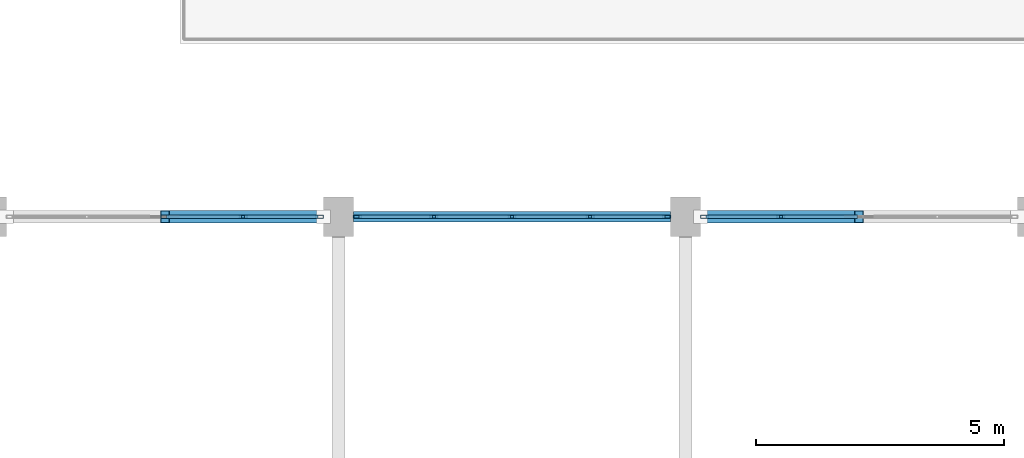
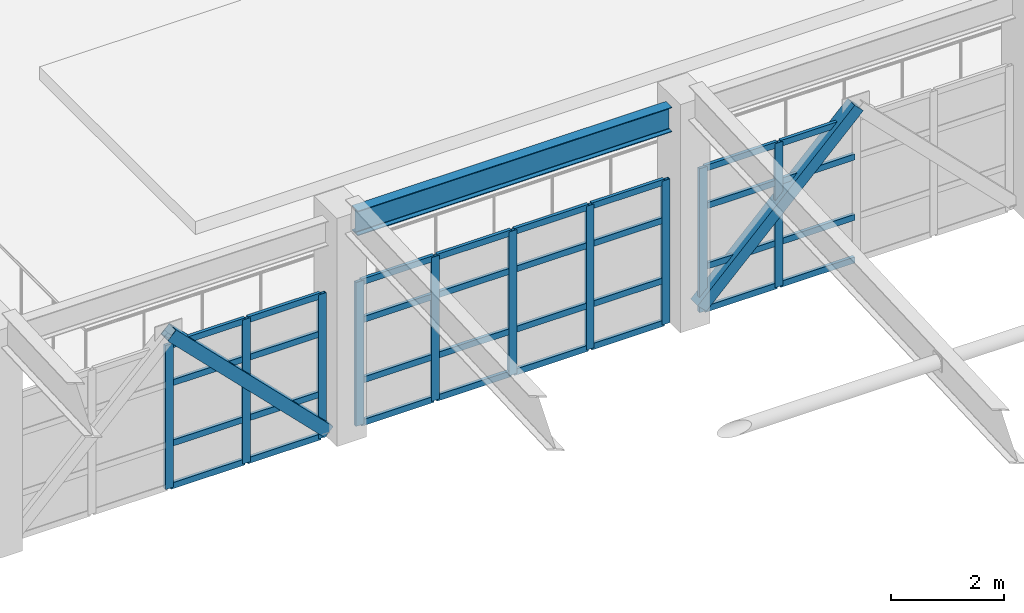
# One storey, part 13 of 150: 44 members, 1 beam, 3 elements without a shape of their own.
"""IFC4 building model written with IfcOpenShell, lengths in metres."""

from ifc_helpers import new_model, si_unit, direction, frame, origin, origin_2d, place, context, subcontext, project, spatial, hollow_rectangle, i_section, extrude, material, material_profile, profile_set, type_object, element, aggregate, save


model = new_model("IFC4")

# Units and contexts
model_context = context("Model", 3, precision=1e-05, world=origin(), true_north=direction((0.0, 1.0)))
body_context = subcontext(model_context, "Body", "Model", "MODEL_VIEW")
ifc_project = project(units=[si_unit("LENGTHUNIT", "METRE"), si_unit("AREAUNIT", "SQUARE_METRE"), si_unit("VOLUMEUNIT", "CUBIC_METRE"), si_unit("PLANEANGLEUNIT", "RADIAN"), si_unit("MASSUNIT", "GRAM", prefix="KILO")], contexts=[model_context])

# Site, building, storey
site_placement = place(None, origin())
site = spatial("IfcSite", under=ifc_project, at=site_placement, CompositionType="ELEMENT")
building_placement = place(site_placement, origin())
building = spatial("IfcBuilding", under=site, at=building_placement, Name="Kestramere Prow Commons", CompositionType="ELEMENT")
storey_placement = place(building_placement, frame((0.0, 0.0, 4.5)))
storey = spatial("IfcBuildingStorey", under=building, at=storey_placement, Name="L01", CompositionType="ELEMENT", Elevation=4.5)

# Beam
ifc_material_1 = material(Name="Steel S355JR", Category="steel")
ifc_material_profile_1 = material_profile(ifc_material_1, i_section(OverallWidth=0.209228515625, OverallDepth=0.533203125, WebThickness=0.010009765625, FlangeThickness=0.015625, FilletRadius=0.0126953125, at=origin_2d()), Name="UB 533x210x92")
ifc_profile_set_1 = profile_set([ifc_material_profile_1], Name="Steel S355JR")
beam_type = type_object("IfcBeamType", Name="BM-HL-GAL UB 533x210x92 (EX)", PredefinedType="BEAM", material=ifc_profile_set_1)
beam_placement = place(storey_placement, frame((23.5, 43.5, 4.418701171875), z_axis=(1.0, 0.0, 0.0), x_axis=(0.0, 1.0, 0.0)))
element("IfcBeam", 1, at=beam_placement, inside=storey, type_object=beam_type, Name="Hall Roof Eave Tie Girder 4N", PredefinedType="BEAM", context=body_context, shape_type="SweptSolid", body=[
    extrude(i_section(OverallWidth=0.209228515625, OverallDepth=0.533203125, WebThickness=0.010009765625, FlangeThickness=0.015625, FilletRadius=0.0126953125, at=origin_2d()), origin(), (0.0, 0.0, 1.0), 6.39990234375),
])

# Members
ifc_material_profile_2 = material_profile(ifc_material_1, hollow_rectangle(XDim=0.25, YDim=0.25, WallThickness=0.012451171875, at=origin_2d()), Name="SHS 250x250x12.5")
ifc_profile_set_2 = profile_set([ifc_material_profile_2], Name="Steel S355JR")
member_type_1 = type_object("IfcMemberType", Name="BRHL-01 SHS 250x250x12.5", PredefinedType="BRACE", material=ifc_profile_set_2)
for number, where, z_axis, x_axis, name in (
    (2, (22.89990234375, 43.5, 0.14990234375), (-0.707079807306, 0.0, 0.707133754038), (0.0, -1.0, 0.0), "Community Hall Flank Diagonal Brace L01-3R"),
    (3, (30.5, 43.5, 0.14990234375), (0.707079807306, 0.0, 0.707133754038), (0.0, 1.0, 0.0), "Community Hall Flank Diagonal Brace L01-5L"),
):
    element("IfcMember", number, at=place(storey_placement, frame(where, z_axis=z_axis, x_axis=x_axis)), inside=storey, type_object=member_type_1, Name=name, PredefinedType="BRACE", context=body_context, shape_type="SweptSolid", body=[
        extrude(hollow_rectangle(XDim=0.25, YDim=0.25, WallThickness=0.012451171875, at=origin_2d()), origin(), (0.0, 0.0, 1.0), 4.525634765625),
    ])

# Curtain wall, members
ifc_material_2 = material(Name="Anodised Aluminium and Low-E Glass", Category="aluminium")
curtain_wall_type = type_object("IfcCurtainWallType", Name="CW-12 Glazed Curtain Wall 6300x3100", PredefinedType="USERDEFINED", material=ifc_material_2)
curtain_wall_1_placement = place(storey_placement, origin())
curtain_wall_1 = element("IfcCurtainWall", 4, at=curtain_wall_1_placement, inside=storey, type_object=curtain_wall_type, Name="Hall North Clerestory Curtain Wall L01-3", ObjectType="GLAZED CURTAIN WALL", PredefinedType="USERDEFINED")
ifc_material_3 = material(Name="Anodised Aluminium 6063-T6", Category="aluminium")
ifc_material_profile_3 = material_profile(ifc_material_3, hollow_rectangle(XDim=0.06494140625, YDim=0.159912109375, WallThickness=0.00390625, at=origin_2d()), Name="ALU-MUL 65x160")
ifc_profile_set_3 = profile_set([ifc_material_profile_3], Name="Anodised Aluminium 6063-T6")
member_type_2 = type_object("IfcMemberType", Name="CW-MUL-65x160", PredefinedType="MULLION", material=ifc_profile_set_3)
member_1_placement = place(storey_placement, frame((19.699951171875, 43.5, 0.0), z_axis=(0.0, 0.0, 1.0), x_axis=(0.0, 1.0, 0.0)))
member_1 = element("IfcMember", 5, at=member_1_placement, type_object=member_type_2, Name="CW-12 mullion 3", PredefinedType="MULLION", context=body_context, shape_type="SweptSolid", body=[
    extrude(hollow_rectangle(XDim=0.06494140625, YDim=0.159912109375, WallThickness=0.00390625, at=origin_2d()), origin(), (0.0, 0.0, 1.0), 3.10009765625),
])
member_2_placement = place(storey_placement, frame((21.27490234375, 43.5, 0.0), z_axis=(0.0, 0.0, 1.0), x_axis=(0.0, 1.0, 0.0)))
member_2 = element("IfcMember", 6, at=member_2_placement, type_object=member_type_2, Name="CW-12 mullion 4", PredefinedType="MULLION", context=body_context, shape_type="SweptSolid", body=[
    extrude(hollow_rectangle(XDim=0.06494140625, YDim=0.159912109375, WallThickness=0.00390625, at=origin_2d()), origin(), (0.0, 0.0, 1.0), 3.10009765625),
])
member_3_placement = place(storey_placement, frame((22.8173828125, 43.5, 0.0), z_axis=(0.0, 0.0, 1.0), x_axis=(0.0, 1.0, 0.0)))
member_3 = element("IfcMember", 7, at=member_3_placement, type_object=member_type_2, Name="CW-12 mullion 5", PredefinedType="MULLION", context=body_context, shape_type="SweptSolid", body=[
    extrude(hollow_rectangle(XDim=0.06494140625, YDim=0.159912109375, WallThickness=0.00390625, at=origin_2d()), origin(), (0.0, 0.0, 1.0), 3.10009765625),
])

curtain_wall_2_placement = place(storey_placement, origin())
curtain_wall_2 = element("IfcCurtainWall", 8, at=curtain_wall_2_placement, inside=storey, type_object=curtain_wall_type, Name="Hall North Clerestory Curtain Wall L01-4", ObjectType="GLAZED CURTAIN WALL", PredefinedType="USERDEFINED")
member_4_placement = place(storey_placement, frame((23.58251953125, 43.5, 0.0), z_axis=(0.0, 0.0, 1.0), x_axis=(0.0, 1.0, 0.0)))
member_4 = element("IfcMember", 9, at=member_4_placement, type_object=member_type_2, Name="CW-12 mullion 1", PredefinedType="MULLION", context=body_context, shape_type="SweptSolid", body=[
    extrude(hollow_rectangle(XDim=0.06494140625, YDim=0.159912109375, WallThickness=0.00390625, at=origin_2d()), origin(), (0.0, 0.0, 1.0), 3.10009765625),
])
member_5_placement = place(storey_placement, frame((25.125, 43.5, 0.0), z_axis=(0.0, 0.0, 1.0), x_axis=(0.0, 1.0, 0.0)))
member_5 = element("IfcMember", 10, at=member_5_placement, type_object=member_type_2, Name="CW-12 mullion 2", PredefinedType="MULLION", context=body_context, shape_type="SweptSolid", body=[
    extrude(hollow_rectangle(XDim=0.06494140625, YDim=0.159912109375, WallThickness=0.00390625, at=origin_2d()), origin(), (0.0, 0.0, 1.0), 3.10009765625),
])
member_6_placement = place(storey_placement, frame((26.699951171875, 43.5, 0.0), z_axis=(0.0, 0.0, 1.0), x_axis=(0.0, 1.0, 0.0)))
member_6 = element("IfcMember", 11, at=member_6_placement, type_object=member_type_2, Name="CW-12 mullion 3", PredefinedType="MULLION", context=body_context, shape_type="SweptSolid", body=[
    extrude(hollow_rectangle(XDim=0.06494140625, YDim=0.159912109375, WallThickness=0.00390625, at=origin_2d()), origin(), (0.0, 0.0, 1.0), 3.10009765625),
])
member_7_placement = place(storey_placement, frame((28.27490234375, 43.5, 0.0), z_axis=(0.0, 0.0, 1.0), x_axis=(0.0, 1.0, 0.0)))
member_7 = element("IfcMember", 12, at=member_7_placement, type_object=member_type_2, Name="CW-12 mullion 4", PredefinedType="MULLION", context=body_context, shape_type="SweptSolid", body=[
    extrude(hollow_rectangle(XDim=0.06494140625, YDim=0.159912109375, WallThickness=0.00390625, at=origin_2d()), origin(), (0.0, 0.0, 1.0), 3.10009765625),
])
member_8_placement = place(storey_placement, frame((29.8173828125, 43.5, 0.0), z_axis=(0.0, 0.0, 1.0), x_axis=(0.0, 1.0, 0.0)))
member_8 = element("IfcMember", 13, at=member_8_placement, type_object=member_type_2, Name="CW-12 mullion 5", PredefinedType="MULLION", context=body_context, shape_type="SweptSolid", body=[
    extrude(hollow_rectangle(XDim=0.06494140625, YDim=0.159912109375, WallThickness=0.00390625, at=origin_2d()), origin(), (0.0, 0.0, 1.0), 3.10009765625),
])

curtain_wall_3_placement = place(storey_placement, origin())
curtain_wall_3 = element("IfcCurtainWall", 14, at=curtain_wall_3_placement, inside=storey, type_object=curtain_wall_type, Name="Hall North Clerestory Curtain Wall L01-5", ObjectType="GLAZED CURTAIN WALL", PredefinedType="USERDEFINED")
member_9_placement = place(storey_placement, frame((30.58251953125, 43.5, 0.0), z_axis=(0.0, 0.0, 1.0), x_axis=(0.0, 1.0, 0.0)))
member_9 = element("IfcMember", 15, at=member_9_placement, type_object=member_type_2, Name="CW-12 mullion 1", PredefinedType="MULLION", context=body_context, shape_type="SweptSolid", body=[
    extrude(hollow_rectangle(XDim=0.06494140625, YDim=0.159912109375, WallThickness=0.00390625, at=origin_2d()), origin(), (0.0, 0.0, 1.0), 3.10009765625),
])
member_10_placement = place(storey_placement, frame((32.125, 43.5, 0.0), z_axis=(0.0, 0.0, 1.0), x_axis=(0.0, 1.0, 0.0)))
member_10 = element("IfcMember", 16, at=member_10_placement, type_object=member_type_2, Name="CW-12 mullion 2", PredefinedType="MULLION", context=body_context, shape_type="SweptSolid", body=[
    extrude(hollow_rectangle(XDim=0.06494140625, YDim=0.159912109375, WallThickness=0.00390625, at=origin_2d()), origin(), (0.0, 0.0, 1.0), 3.10009765625),
])

# Member
ifc_material_profile_4 = material_profile(ifc_material_3, hollow_rectangle(XDim=0.06494140625, YDim=0.1298828125, WallThickness=0.00390625, at=origin_2d()), Name="ALU-TRN 65x130")
ifc_profile_set_4 = profile_set([ifc_material_profile_4], Name="Anodised Aluminium 6063-T6")
member_type_3 = type_object("IfcMemberType", Name="CW-TRN-65x130", PredefinedType="USERDEFINED", material=ifc_profile_set_4)
member_11_placement = place(storey_placement, frame((19.732421875, 43.5, 0.032470703125), z_axis=(1.0, 0.0, 0.0), x_axis=(0.0, 1.0, 0.0)))
member_11 = element("IfcMember", 17, at=member_11_placement, type_object=member_type_3, Name="CW-12 transom 3.1", ObjectType="TRANSOM", PredefinedType="USERDEFINED", context=body_context, shape_type="SweptSolid", body=[
    extrude(hollow_rectangle(XDim=0.06494140625, YDim=0.1298828125, WallThickness=0.00390625, at=origin_2d()), origin(), (0.0, 0.0, 1.0), 1.510009765625),
])

member_12_placement = place(storey_placement, frame((19.732421875, 43.5, 0.949951171875), z_axis=(1.0, 0.0, 0.0), x_axis=(0.0, 1.0, 0.0)))
member_12 = element("IfcMember", 18, at=member_12_placement, type_object=member_type_3, Name="CW-12 transom 3.2", ObjectType="TRANSOM", PredefinedType="USERDEFINED", context=body_context, shape_type="SweptSolid", body=[
    extrude(hollow_rectangle(XDim=0.06494140625, YDim=0.1298828125, WallThickness=0.00390625, at=origin_2d()), origin(), (0.0, 0.0, 1.0), 1.510009765625),
])

member_13_placement = place(storey_placement, frame((19.732421875, 43.5, 2.25), z_axis=(1.0, 0.0, 0.0), x_axis=(0.0, 1.0, 0.0)))
member_13 = element("IfcMember", 19, at=member_13_placement, type_object=member_type_3, Name="CW-12 transom 3.3", ObjectType="TRANSOM", PredefinedType="USERDEFINED", context=body_context, shape_type="SweptSolid", body=[
    extrude(hollow_rectangle(XDim=0.06494140625, YDim=0.1298828125, WallThickness=0.00390625, at=origin_2d()), origin(), (0.0, 0.0, 1.0), 1.510009765625),
])

member_14_placement = place(storey_placement, frame((19.732421875, 43.5, 3.0673828125), z_axis=(1.0, 0.0, 0.0), x_axis=(0.0, 1.0, 0.0)))
member_14 = element("IfcMember", 20, at=member_14_placement, type_object=member_type_3, Name="CW-12 transom 3.4", ObjectType="TRANSOM", PredefinedType="USERDEFINED", context=body_context, shape_type="SweptSolid", body=[
    extrude(hollow_rectangle(XDim=0.06494140625, YDim=0.1298828125, WallThickness=0.00390625, at=origin_2d()), origin(), (0.0, 0.0, 1.0), 1.510009765625),
])

member_15_placement = place(storey_placement, frame((21.3076171875, 43.5, 0.032470703125), z_axis=(1.0, 0.0, 0.0), x_axis=(0.0, 1.0, 0.0)))
member_15 = element("IfcMember", 21, at=member_15_placement, type_object=member_type_3, Name="CW-12 transom 4.1", ObjectType="TRANSOM", PredefinedType="USERDEFINED", context=body_context, shape_type="SweptSolid", body=[
    extrude(hollow_rectangle(XDim=0.06494140625, YDim=0.1298828125, WallThickness=0.00390625, at=origin_2d()), origin(), (0.0, 0.0, 1.0), 1.477294921875),
])

member_16_placement = place(storey_placement, frame((21.3076171875, 43.5, 0.949951171875), z_axis=(1.0, 0.0, 0.0), x_axis=(0.0, 1.0, 0.0)))
member_16 = element("IfcMember", 22, at=member_16_placement, type_object=member_type_3, Name="CW-12 transom 4.2", ObjectType="TRANSOM", PredefinedType="USERDEFINED", context=body_context, shape_type="SweptSolid", body=[
    extrude(hollow_rectangle(XDim=0.06494140625, YDim=0.1298828125, WallThickness=0.00390625, at=origin_2d()), origin(), (0.0, 0.0, 1.0), 1.477294921875),
])

member_17_placement = place(storey_placement, frame((21.3076171875, 43.5, 2.25), z_axis=(1.0, 0.0, 0.0), x_axis=(0.0, 1.0, 0.0)))
member_17 = element("IfcMember", 23, at=member_17_placement, type_object=member_type_3, Name="CW-12 transom 4.3", ObjectType="TRANSOM", PredefinedType="USERDEFINED", context=body_context, shape_type="SweptSolid", body=[
    extrude(hollow_rectangle(XDim=0.06494140625, YDim=0.1298828125, WallThickness=0.00390625, at=origin_2d()), origin(), (0.0, 0.0, 1.0), 1.477294921875),
])

member_18_placement = place(storey_placement, frame((21.3076171875, 43.5, 3.0673828125), z_axis=(1.0, 0.0, 0.0), x_axis=(0.0, 1.0, 0.0)))
member_18 = element("IfcMember", 24, at=member_18_placement, type_object=member_type_3, Name="CW-12 transom 4.4", ObjectType="TRANSOM", PredefinedType="USERDEFINED", context=body_context, shape_type="SweptSolid", body=[
    extrude(hollow_rectangle(XDim=0.06494140625, YDim=0.1298828125, WallThickness=0.00390625, at=origin_2d()), origin(), (0.0, 0.0, 1.0), 1.477294921875),
])

aggregate(curtain_wall_1, [member_1, member_2, member_3, member_11, member_12, member_13, member_14, member_15, member_16, member_17, member_18])

member_19_placement = place(storey_placement, frame((23.614990234375, 43.5, 0.032470703125), z_axis=(1.0, 0.0, 0.0), x_axis=(0.0, 1.0, 0.0)))
member_19 = element("IfcMember", 25, at=member_19_placement, type_object=member_type_3, Name="CW-12 transom 1.1", ObjectType="TRANSOM", PredefinedType="USERDEFINED", context=body_context, shape_type="SweptSolid", body=[
    extrude(hollow_rectangle(XDim=0.06494140625, YDim=0.1298828125, WallThickness=0.00390625, at=origin_2d()), origin(), (0.0, 0.0, 1.0), 1.4775390625),
])

member_20_placement = place(storey_placement, frame((23.614990234375, 43.5, 0.949951171875), z_axis=(1.0, 0.0, 0.0), x_axis=(0.0, 1.0, 0.0)))
member_20 = element("IfcMember", 26, at=member_20_placement, type_object=member_type_3, Name="CW-12 transom 1.2", ObjectType="TRANSOM", PredefinedType="USERDEFINED", context=body_context, shape_type="SweptSolid", body=[
    extrude(hollow_rectangle(XDim=0.06494140625, YDim=0.1298828125, WallThickness=0.00390625, at=origin_2d()), origin(), (0.0, 0.0, 1.0), 1.4775390625),
])

member_21_placement = place(storey_placement, frame((23.614990234375, 43.5, 2.25), z_axis=(1.0, 0.0, 0.0), x_axis=(0.0, 1.0, 0.0)))
member_21 = element("IfcMember", 27, at=member_21_placement, type_object=member_type_3, Name="CW-12 transom 1.3", ObjectType="TRANSOM", PredefinedType="USERDEFINED", context=body_context, shape_type="SweptSolid", body=[
    extrude(hollow_rectangle(XDim=0.06494140625, YDim=0.1298828125, WallThickness=0.00390625, at=origin_2d()), origin(), (0.0, 0.0, 1.0), 1.4775390625),
])

member_22_placement = place(storey_placement, frame((23.614990234375, 43.5, 3.0673828125), z_axis=(1.0, 0.0, 0.0), x_axis=(0.0, 1.0, 0.0)))
member_22 = element("IfcMember", 28, at=member_22_placement, type_object=member_type_3, Name="CW-12 transom 1.4", ObjectType="TRANSOM", PredefinedType="USERDEFINED", context=body_context, shape_type="SweptSolid", body=[
    extrude(hollow_rectangle(XDim=0.06494140625, YDim=0.1298828125, WallThickness=0.00390625, at=origin_2d()), origin(), (0.0, 0.0, 1.0), 1.4775390625),
])

member_23_placement = place(storey_placement, frame((25.157470703125, 43.5, 0.032470703125), z_axis=(1.0, 0.0, 0.0), x_axis=(0.0, 1.0, 0.0)))
member_23 = element("IfcMember", 29, at=member_23_placement, type_object=member_type_3, Name="CW-12 transom 2.1", ObjectType="TRANSOM", PredefinedType="USERDEFINED", context=body_context, shape_type="SweptSolid", body=[
    extrude(hollow_rectangle(XDim=0.06494140625, YDim=0.1298828125, WallThickness=0.00390625, at=origin_2d()), origin(), (0.0, 0.0, 1.0), 1.510009765625),
])

member_24_placement = place(storey_placement, frame((25.157470703125, 43.5, 0.949951171875), z_axis=(1.0, 0.0, 0.0), x_axis=(0.0, 1.0, 0.0)))
member_24 = element("IfcMember", 30, at=member_24_placement, type_object=member_type_3, Name="CW-12 transom 2.2", ObjectType="TRANSOM", PredefinedType="USERDEFINED", context=body_context, shape_type="SweptSolid", body=[
    extrude(hollow_rectangle(XDim=0.06494140625, YDim=0.1298828125, WallThickness=0.00390625, at=origin_2d()), origin(), (0.0, 0.0, 1.0), 1.510009765625),
])

member_25_placement = place(storey_placement, frame((25.157470703125, 43.5, 2.25), z_axis=(1.0, 0.0, 0.0), x_axis=(0.0, 1.0, 0.0)))
member_25 = element("IfcMember", 31, at=member_25_placement, type_object=member_type_3, Name="CW-12 transom 2.3", ObjectType="TRANSOM", PredefinedType="USERDEFINED", context=body_context, shape_type="SweptSolid", body=[
    extrude(hollow_rectangle(XDim=0.06494140625, YDim=0.1298828125, WallThickness=0.00390625, at=origin_2d()), origin(), (0.0, 0.0, 1.0), 1.510009765625),
])

member_26_placement = place(storey_placement, frame((25.157470703125, 43.5, 3.0673828125), z_axis=(1.0, 0.0, 0.0), x_axis=(0.0, 1.0, 0.0)))
member_26 = element("IfcMember", 32, at=member_26_placement, type_object=member_type_3, Name="CW-12 transom 2.4", ObjectType="TRANSOM", PredefinedType="USERDEFINED", context=body_context, shape_type="SweptSolid", body=[
    extrude(hollow_rectangle(XDim=0.06494140625, YDim=0.1298828125, WallThickness=0.00390625, at=origin_2d()), origin(), (0.0, 0.0, 1.0), 1.510009765625),
])

member_27_placement = place(storey_placement, frame((26.732421875, 43.5, 0.032470703125), z_axis=(1.0, 0.0, 0.0), x_axis=(0.0, 1.0, 0.0)))
member_27 = element("IfcMember", 33, at=member_27_placement, type_object=member_type_3, Name="CW-12 transom 3.1", ObjectType="TRANSOM", PredefinedType="USERDEFINED", context=body_context, shape_type="SweptSolid", body=[
    extrude(hollow_rectangle(XDim=0.06494140625, YDim=0.1298828125, WallThickness=0.00390625, at=origin_2d()), origin(), (0.0, 0.0, 1.0), 1.510009765625),
])

member_28_placement = place(storey_placement, frame((26.732421875, 43.5, 0.949951171875), z_axis=(1.0, 0.0, 0.0), x_axis=(0.0, 1.0, 0.0)))
member_28 = element("IfcMember", 34, at=member_28_placement, type_object=member_type_3, Name="CW-12 transom 3.2", ObjectType="TRANSOM", PredefinedType="USERDEFINED", context=body_context, shape_type="SweptSolid", body=[
    extrude(hollow_rectangle(XDim=0.06494140625, YDim=0.1298828125, WallThickness=0.00390625, at=origin_2d()), origin(), (0.0, 0.0, 1.0), 1.510009765625),
])

member_29_placement = place(storey_placement, frame((26.732421875, 43.5, 2.25), z_axis=(1.0, 0.0, 0.0), x_axis=(0.0, 1.0, 0.0)))
member_29 = element("IfcMember", 35, at=member_29_placement, type_object=member_type_3, Name="CW-12 transom 3.3", ObjectType="TRANSOM", PredefinedType="USERDEFINED", context=body_context, shape_type="SweptSolid", body=[
    extrude(hollow_rectangle(XDim=0.06494140625, YDim=0.1298828125, WallThickness=0.00390625, at=origin_2d()), origin(), (0.0, 0.0, 1.0), 1.510009765625),
])

member_30_placement = place(storey_placement, frame((26.732421875, 43.5, 3.0673828125), z_axis=(1.0, 0.0, 0.0), x_axis=(0.0, 1.0, 0.0)))
member_30 = element("IfcMember", 36, at=member_30_placement, type_object=member_type_3, Name="CW-12 transom 3.4", ObjectType="TRANSOM", PredefinedType="USERDEFINED", context=body_context, shape_type="SweptSolid", body=[
    extrude(hollow_rectangle(XDim=0.06494140625, YDim=0.1298828125, WallThickness=0.00390625, at=origin_2d()), origin(), (0.0, 0.0, 1.0), 1.510009765625),
])

member_31_placement = place(storey_placement, frame((28.3076171875, 43.5, 0.032470703125), z_axis=(1.0, 0.0, 0.0), x_axis=(0.0, 1.0, 0.0)))
member_31 = element("IfcMember", 37, at=member_31_placement, type_object=member_type_3, Name="CW-12 transom 4.1", ObjectType="TRANSOM", PredefinedType="USERDEFINED", context=body_context, shape_type="SweptSolid", body=[
    extrude(hollow_rectangle(XDim=0.06494140625, YDim=0.1298828125, WallThickness=0.00390625, at=origin_2d()), origin(), (0.0, 0.0, 1.0), 1.477294921875),
])

member_32_placement = place(storey_placement, frame((28.3076171875, 43.5, 0.949951171875), z_axis=(1.0, 0.0, 0.0), x_axis=(0.0, 1.0, 0.0)))
member_32 = element("IfcMember", 38, at=member_32_placement, type_object=member_type_3, Name="CW-12 transom 4.2", ObjectType="TRANSOM", PredefinedType="USERDEFINED", context=body_context, shape_type="SweptSolid", body=[
    extrude(hollow_rectangle(XDim=0.06494140625, YDim=0.1298828125, WallThickness=0.00390625, at=origin_2d()), origin(), (0.0, 0.0, 1.0), 1.477294921875),
])

member_33_placement = place(storey_placement, frame((28.3076171875, 43.5, 2.25), z_axis=(1.0, 0.0, 0.0), x_axis=(0.0, 1.0, 0.0)))
member_33 = element("IfcMember", 39, at=member_33_placement, type_object=member_type_3, Name="CW-12 transom 4.3", ObjectType="TRANSOM", PredefinedType="USERDEFINED", context=body_context, shape_type="SweptSolid", body=[
    extrude(hollow_rectangle(XDim=0.06494140625, YDim=0.1298828125, WallThickness=0.00390625, at=origin_2d()), origin(), (0.0, 0.0, 1.0), 1.477294921875),
])

member_34_placement = place(storey_placement, frame((28.3076171875, 43.5, 3.0673828125), z_axis=(1.0, 0.0, 0.0), x_axis=(0.0, 1.0, 0.0)))
member_34 = element("IfcMember", 40, at=member_34_placement, type_object=member_type_3, Name="CW-12 transom 4.4", ObjectType="TRANSOM", PredefinedType="USERDEFINED", context=body_context, shape_type="SweptSolid", body=[
    extrude(hollow_rectangle(XDim=0.06494140625, YDim=0.1298828125, WallThickness=0.00390625, at=origin_2d()), origin(), (0.0, 0.0, 1.0), 1.477294921875),
])

aggregate(curtain_wall_2, [member_4, member_5, member_6, member_7, member_8, member_19, member_20, member_21, member_22, member_23, member_24, member_25, member_26, member_27, member_28, member_29, member_30, member_31, member_32, member_33, member_34])

member_35_placement = place(storey_placement, frame((30.614990234375, 43.5, 0.032470703125), z_axis=(1.0, 0.0, 0.0), x_axis=(0.0, 1.0, 0.0)))
member_35 = element("IfcMember", 41, at=member_35_placement, type_object=member_type_3, Name="CW-12 transom 1.1", ObjectType="TRANSOM", PredefinedType="USERDEFINED", context=body_context, shape_type="SweptSolid", body=[
    extrude(hollow_rectangle(XDim=0.06494140625, YDim=0.1298828125, WallThickness=0.00390625, at=origin_2d()), origin(), (0.0, 0.0, 1.0), 1.4775390625),
])

member_36_placement = place(storey_placement, frame((30.614990234375, 43.5, 0.949951171875), z_axis=(1.0, 0.0, 0.0), x_axis=(0.0, 1.0, 0.0)))
member_36 = element("IfcMember", 42, at=member_36_placement, type_object=member_type_3, Name="CW-12 transom 1.2", ObjectType="TRANSOM", PredefinedType="USERDEFINED", context=body_context, shape_type="SweptSolid", body=[
    extrude(hollow_rectangle(XDim=0.06494140625, YDim=0.1298828125, WallThickness=0.00390625, at=origin_2d()), origin(), (0.0, 0.0, 1.0), 1.4775390625),
])

member_37_placement = place(storey_placement, frame((30.614990234375, 43.5, 2.25), z_axis=(1.0, 0.0, 0.0), x_axis=(0.0, 1.0, 0.0)))
member_37 = element("IfcMember", 43, at=member_37_placement, type_object=member_type_3, Name="CW-12 transom 1.3", ObjectType="TRANSOM", PredefinedType="USERDEFINED", context=body_context, shape_type="SweptSolid", body=[
    extrude(hollow_rectangle(XDim=0.06494140625, YDim=0.1298828125, WallThickness=0.00390625, at=origin_2d()), origin(), (0.0, 0.0, 1.0), 1.4775390625),
])

member_38_placement = place(storey_placement, frame((30.614990234375, 43.5, 3.0673828125), z_axis=(1.0, 0.0, 0.0), x_axis=(0.0, 1.0, 0.0)))
member_38 = element("IfcMember", 44, at=member_38_placement, type_object=member_type_3, Name="CW-12 transom 1.4", ObjectType="TRANSOM", PredefinedType="USERDEFINED", context=body_context, shape_type="SweptSolid", body=[
    extrude(hollow_rectangle(XDim=0.06494140625, YDim=0.1298828125, WallThickness=0.00390625, at=origin_2d()), origin(), (0.0, 0.0, 1.0), 1.4775390625),
])

member_39_placement = place(storey_placement, frame((32.157470703125, 43.5, 0.032470703125), z_axis=(1.0, 0.0, 0.0), x_axis=(0.0, 1.0, 0.0)))
member_39 = element("IfcMember", 45, at=member_39_placement, type_object=member_type_3, Name="CW-12 transom 2.1", ObjectType="TRANSOM", PredefinedType="USERDEFINED", context=body_context, shape_type="SweptSolid", body=[
    extrude(hollow_rectangle(XDim=0.06494140625, YDim=0.1298828125, WallThickness=0.00390625, at=origin_2d()), origin(), (0.0, 0.0, 1.0), 1.510009765625),
])

member_40_placement = place(storey_placement, frame((32.157470703125, 43.5, 0.949951171875), z_axis=(1.0, 0.0, 0.0), x_axis=(0.0, 1.0, 0.0)))
member_40 = element("IfcMember", 46, at=member_40_placement, type_object=member_type_3, Name="CW-12 transom 2.2", ObjectType="TRANSOM", PredefinedType="USERDEFINED", context=body_context, shape_type="SweptSolid", body=[
    extrude(hollow_rectangle(XDim=0.06494140625, YDim=0.1298828125, WallThickness=0.00390625, at=origin_2d()), origin(), (0.0, 0.0, 1.0), 1.510009765625),
])

member_41_placement = place(storey_placement, frame((32.157470703125, 43.5, 2.25), z_axis=(1.0, 0.0, 0.0), x_axis=(0.0, 1.0, 0.0)))
member_41 = element("IfcMember", 47, at=member_41_placement, type_object=member_type_3, Name="CW-12 transom 2.3", ObjectType="TRANSOM", PredefinedType="USERDEFINED", context=body_context, shape_type="SweptSolid", body=[
    extrude(hollow_rectangle(XDim=0.06494140625, YDim=0.1298828125, WallThickness=0.00390625, at=origin_2d()), origin(), (0.0, 0.0, 1.0), 1.510009765625),
])

member_42_placement = place(storey_placement, frame((32.157470703125, 43.5, 3.0673828125), z_axis=(1.0, 0.0, 0.0), x_axis=(0.0, 1.0, 0.0)))
member_42 = element("IfcMember", 48, at=member_42_placement, type_object=member_type_3, Name="CW-12 transom 2.4", ObjectType="TRANSOM", PredefinedType="USERDEFINED", context=body_context, shape_type="SweptSolid", body=[
    extrude(hollow_rectangle(XDim=0.06494140625, YDim=0.1298828125, WallThickness=0.00390625, at=origin_2d()), origin(), (0.0, 0.0, 1.0), 1.510009765625),
])

aggregate(curtain_wall_3, [member_9, member_10, member_35, member_36, member_37, member_38, member_39, member_40, member_41, member_42])

save(model, "model.ifc")
